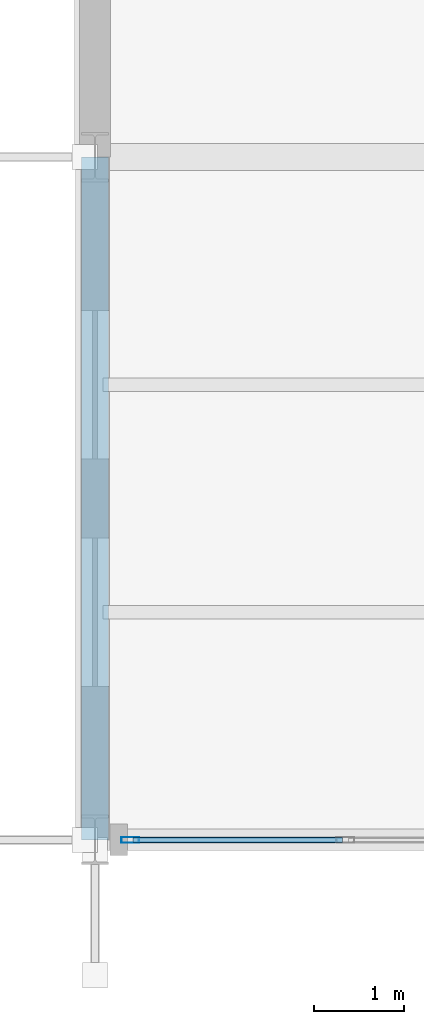
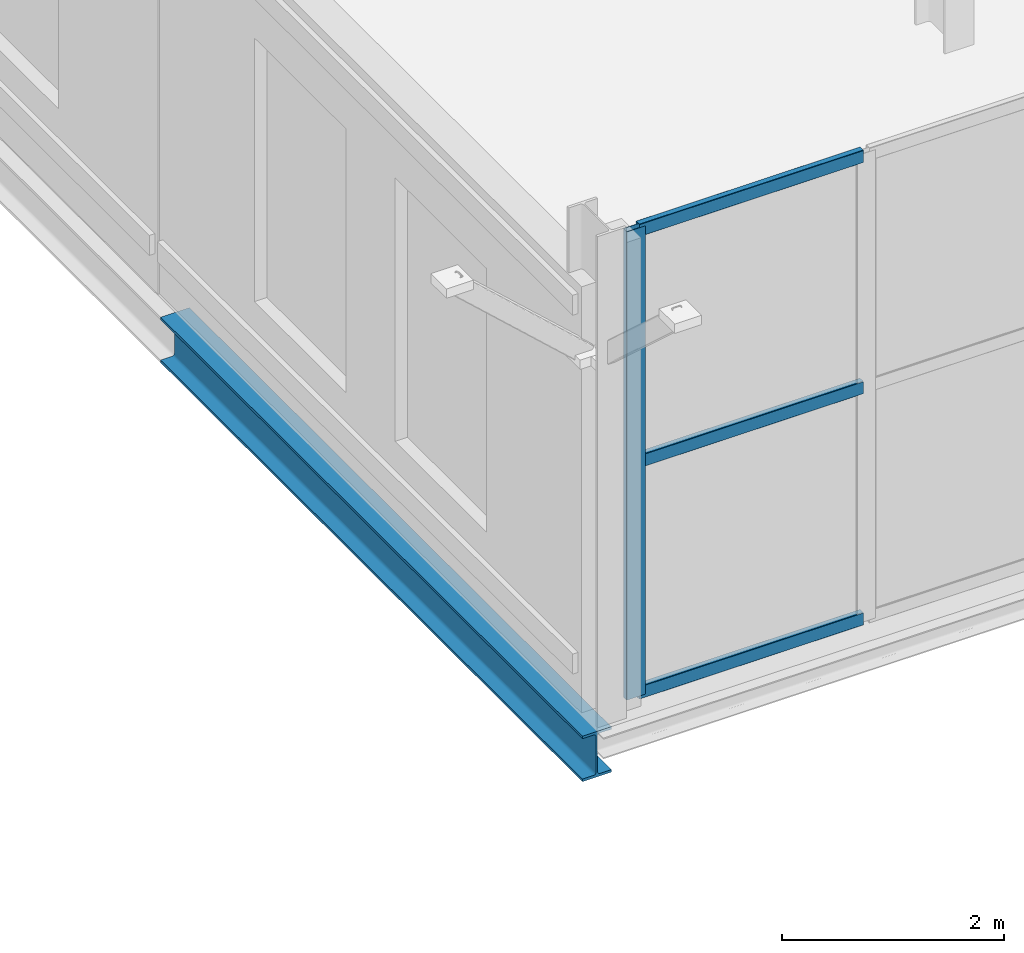
# One storey, part 67 of 147: 4 members, 1 beam, 1 element without a shape of its own.
"""IFC4 building model written with IfcOpenShell, lengths in metres."""

from ifc_helpers import new_model, si_unit, direction, frame, origin, origin_2d, place, context, subcontext, project, spatial, hollow_rectangle, i_section, extrude, material, layer, layer_set, material_profile, profile_set, type_object, element, aggregate, save


model = new_model("IFC4")

# Units and contexts
model_context = context("Model", 3, precision=1e-05, world=origin(), true_north=direction((0.0, 1.0)))
body_context = subcontext(model_context, "Body", "Model", "MODEL_VIEW")
ifc_project = project(units=[si_unit("LENGTHUNIT", "METRE"), si_unit("AREAUNIT", "SQUARE_METRE"), si_unit("VOLUMEUNIT", "CUBIC_METRE"), si_unit("PLANEANGLEUNIT", "RADIAN"), si_unit("MASSUNIT", "GRAM", prefix="KILO")], contexts=[model_context])

# Site, building, storey
site_placement = place(None, origin())
site = spatial("IfcSite", under=ifc_project, at=site_placement, CompositionType="ELEMENT")
building_placement = place(site_placement, origin())
building = spatial("IfcBuilding", under=site, at=building_placement, Name="Vekula Escarpment Museum", CompositionType="ELEMENT")
storey_placement = place(building_placement, frame((0.0, 0.0, 7.800048828125)))
storey = spatial("IfcBuildingStorey", under=building, at=storey_placement, Name="L02", CompositionType="ELEMENT", Elevation=7.800048828125)

# Beam
ifc_material_1 = material(Name="Steel S355", Category="steel")
ifc_material_profile_1 = material_profile(ifc_material_1, i_section(OverallWidth=0.300048828125, OverallDepth=0.5, WebThickness=0.014404296875, FlangeThickness=0.028076171875, FilletRadius=0.027099609375, at=origin_2d()), Name="HEB 500")
ifc_profile_set_1 = profile_set([ifc_material_profile_1], Name="Steel S355")
beam_type = type_object("IfcBeamType", Name="BM-GIRD-HEB500", PredefinedType="BEAM", material=ifc_profile_set_1)
beam_placement = place(storey_placement, frame((78.0, 120.800048828125, -0.510009765625), z_axis=(0.0, 1.0, 0.0), x_axis=(-1.0, 0.0, 0.0)))
element("IfcBeam", 1, at=beam_placement, inside=storey, type_object=beam_type, Name="Beam Y L02 1140", PredefinedType="BEAM", context=body_context, shape_type="SweptSolid", body=[
    extrude(i_section(OverallWidth=0.300048828125, OverallDepth=0.5, WebThickness=0.014404296875, FlangeThickness=0.028076171875, FilletRadius=0.027099609375, at=origin_2d()), origin(), (0.0, 0.0, 1.0), 7.599853515625),
])

# Curtain wall, members
ifc_material_2 = material(Name="Aluminium thermally broken framing", Category="aluminium")
ifc_layer = layer(ifc_material_2, 0.159912109375)
ifc_layer_set = layer_set([ifc_layer], Name="Aluminium thermally broken framing")
curtain_wall_type = type_object("IfcCurtainWallType", Name="CW-SYS-05", PredefinedType="NOTDEFINED", material=ifc_layer_set)
curtain_wall_placement = place(storey_placement, origin())
curtain_wall = element("IfcCurtainWall", 2, at=curtain_wall_placement, inside=storey, type_object=curtain_wall_type, Name="Curtain Wall CW-L02-085", PredefinedType="NOTDEFINED")
ifc_material_3 = material(Name="Aluminium anodized mullion", Category="aluminium")
ifc_material_profile_2 = material_profile(ifc_material_3, hollow_rectangle(XDim=0.06494140625, YDim=0.199951171875, WallThickness=0.00390625, InnerFilletRadius=0.00390625, OuterFilletRadius=0.008056640625, at=origin_2d()), Name="ALU 200x65x4")
ifc_profile_set_2 = profile_set([ifc_material_profile_2], Name="Aluminium anodized mullion")
member_type_1 = type_object("IfcMemberType", Name="CW-MUL-200", PredefinedType="MULLION", material=ifc_profile_set_2)
member_1_placement = place(storey_placement, frame((78.392578125, 120.800048828125, 0.0), z_axis=(0.0, 0.0, 1.0), x_axis=(0.0, 1.0, 0.0)))
member_1 = element("IfcMember", 3, at=member_1_placement, type_object=member_type_1, Name="CW-05 mullion 1", PredefinedType="MULLION", context=body_context, shape_type="SweptSolid", body=[
    extrude(hollow_rectangle(XDim=0.06494140625, YDim=0.199951171875, WallThickness=0.00390625, InnerFilletRadius=0.00390625, OuterFilletRadius=0.008056640625, at=origin_2d()), origin(), (0.0, 0.0, 1.0), 5.14990234375),
])
ifc_material_4 = material(Name="Aluminium anodized transom", Category="aluminium")
ifc_material_profile_3 = material_profile(ifc_material_4, hollow_rectangle(XDim=0.06494140625, YDim=0.139892578125, WallThickness=0.00390625, InnerFilletRadius=0.00390625, OuterFilletRadius=0.008056640625, at=origin_2d()), Name="ALU 140x65x4")
ifc_profile_set_3 = profile_set([ifc_material_profile_3], Name="Aluminium anodized transom")
member_type_2 = type_object("IfcMemberType", Name="CW-TRN-140", PredefinedType="USERDEFINED", material=ifc_profile_set_3)
member_2_placement = place(storey_placement, frame((78.425048828125, 120.800048828125, 0.032470703125), z_axis=(1.0, 0.0, 0.0), x_axis=(0.0, 1.0, 0.0)))
member_2 = element("IfcMember", 4, at=member_2_placement, type_object=member_type_2, Name="CW-05 transom 1.1", ObjectType="TRANSOM", PredefinedType="USERDEFINED", context=body_context, shape_type="SweptSolid", body=[
    extrude(hollow_rectangle(XDim=0.06494140625, YDim=0.139892578125, WallThickness=0.00390625, InnerFilletRadius=0.00390625, OuterFilletRadius=0.008056640625, at=origin_2d()), origin(), (0.0, 0.0, 1.0), 2.3291015625),
])
member_3_placement = place(storey_placement, frame((78.425048828125, 120.800048828125, 2.574951171875), z_axis=(1.0, 0.0, 0.0), x_axis=(0.0, 1.0, 0.0)))
member_3 = element("IfcMember", 5, at=member_3_placement, type_object=member_type_2, Name="CW-05 transom 1.2", ObjectType="TRANSOM", PredefinedType="USERDEFINED", context=body_context, shape_type="SweptSolid", body=[
    extrude(hollow_rectangle(XDim=0.06494140625, YDim=0.139892578125, WallThickness=0.00390625, InnerFilletRadius=0.00390625, OuterFilletRadius=0.008056640625, at=origin_2d()), origin(), (0.0, 0.0, 1.0), 2.3291015625),
])
member_4_placement = place(storey_placement, frame((78.425048828125, 120.800048828125, 5.117431640625), z_axis=(1.0, 0.0, 0.0), x_axis=(0.0, 1.0, 0.0)))
member_4 = element("IfcMember", 6, at=member_4_placement, type_object=member_type_2, Name="CW-05 transom 1.3", ObjectType="TRANSOM", PredefinedType="USERDEFINED", context=body_context, shape_type="SweptSolid", body=[
    extrude(hollow_rectangle(XDim=0.06494140625, YDim=0.139892578125, WallThickness=0.00390625, InnerFilletRadius=0.00390625, OuterFilletRadius=0.008056640625, at=origin_2d()), origin(), (0.0, 0.0, 1.0), 2.3291015625),
])
aggregate(curtain_wall, [member_1, member_2, member_3, member_4])

save(model, "model.ifc")
